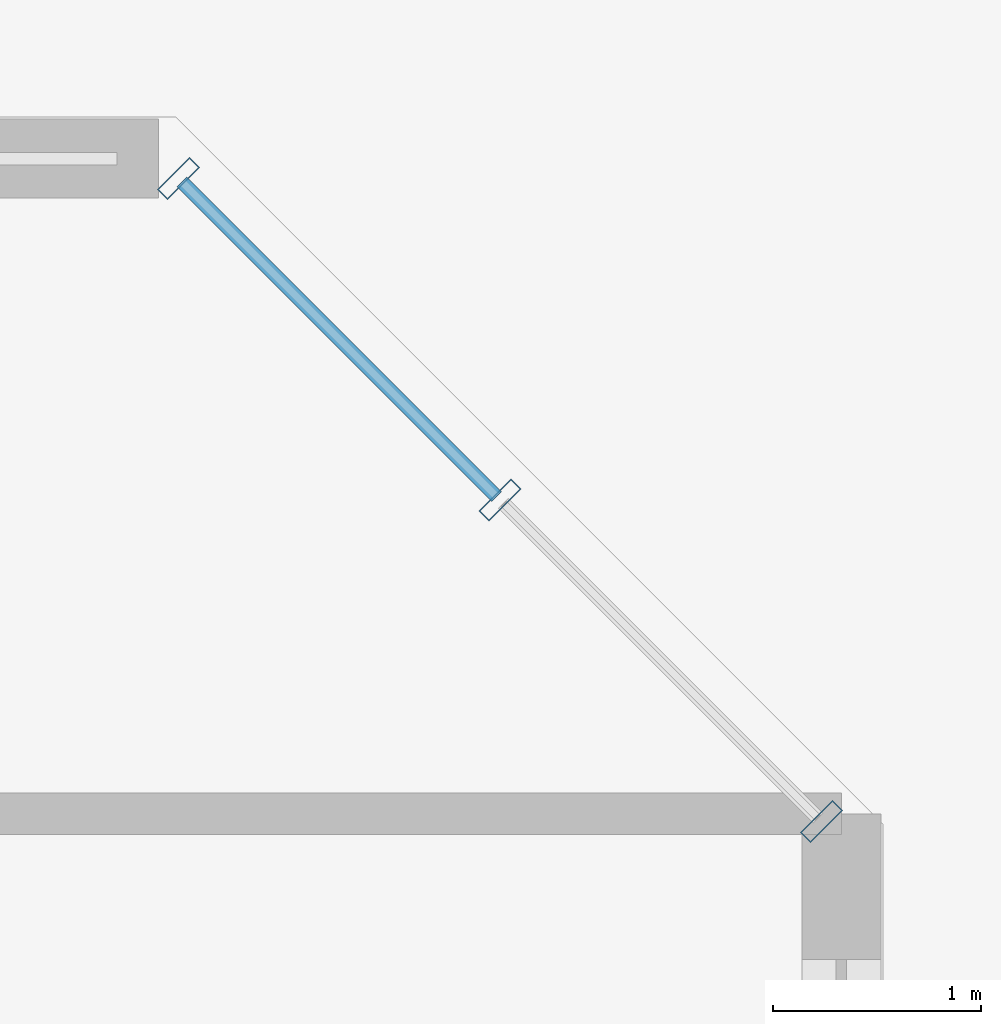
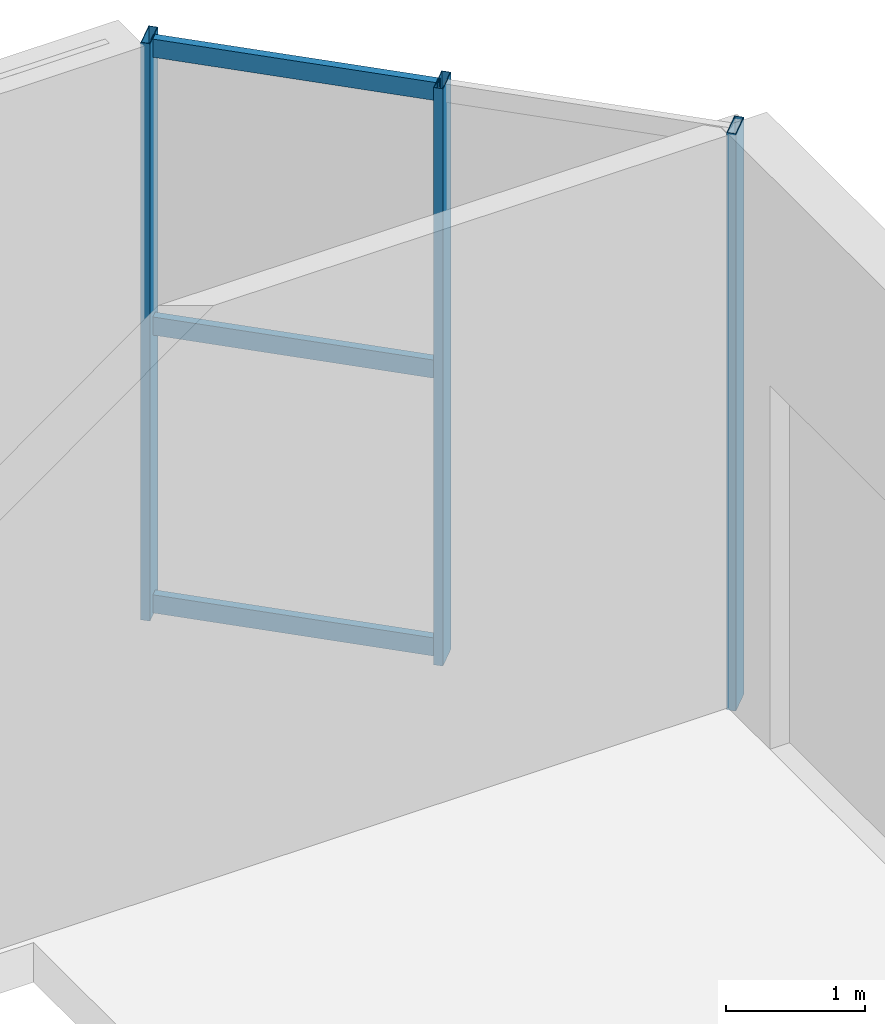
# One storey, part 8 of 22: 6 members, 1 element without a shape of its own.
"""IFC4 building model written with IfcOpenShell, lengths in metres."""

from ifc_helpers import new_model, si_unit, direction, frame, origin, origin_2d, place, context, subcontext, project, spatial, hollow_rectangle, extrude, source, transform, mapped, material, material_profile, profile_set, type_object, element, aggregate, save


model = new_model("IFC4")

# Units and contexts
model_context = context("Model", 3, precision=1e-05, world=origin(), true_north=direction((0.0, 1.0)))
body_context = subcontext(model_context, "Body", "Model", "MODEL_VIEW")
ifc_project = project(units=[si_unit("LENGTHUNIT", "METRE"), si_unit("AREAUNIT", "SQUARE_METRE"), si_unit("VOLUMEUNIT", "CUBIC_METRE"), si_unit("PLANEANGLEUNIT", "RADIAN"), si_unit("MASSUNIT", "GRAM", prefix="KILO")], contexts=[model_context])

# Site, building, storey
site_placement = place(None, origin())
site = spatial("IfcSite", under=ifc_project, at=site_placement, CompositionType="ELEMENT")
building_placement = place(site_placement, origin())
building = spatial("IfcBuilding", under=site, at=building_placement, Name="Tlacorven Tower", CompositionType="ELEMENT")
storey_placement = place(building_placement, origin())
storey = spatial("IfcBuildingStorey", under=building, at=storey_placement, Name="L00", CompositionType="ELEMENT", Elevation=0.0)

# Curtain wall, members
ifc_material_1 = material(Name="Dark solar low-E double glazing in aluminium frame", Category="aluminium")
curtain_wall_type = type_object("IfcCurtainWallType", Name="CW-STN-CONCOURSE", PredefinedType="USERDEFINED", material=ifc_material_1)
curtain_wall_placement = place(storey_placement, origin())
curtain_wall = element("IfcCurtainWall", 1, at=curtain_wall_placement, inside=storey, type_object=curtain_wall_type, Name="L00 Podium Chamfer Curtain Wall 5", ObjectType="UNITISED CURTAIN WALL", PredefinedType="USERDEFINED")
ifc_material_2 = material(Name="Aluminium 6063-T6 anodised", Category="aluminium")
ifc_material_profile_1 = material_profile(ifc_material_2, hollow_rectangle(XDim=0.070068359375, YDim=0.219970703125, WallThickness=0.0048828125, at=origin_2d()), Name="ALU MULLION 70X220")
ifc_profile_set_1 = profile_set([ifc_material_profile_1], Name="Aluminium 6063-T6 anodised")
member_type_1 = type_object("IfcMemberType", Name="CWM-01", PredefinedType="MULLION", material=ifc_profile_set_1)
shared_shape_1 = source(origin(), body_context, "Body", "SweptSolid", [
    extrude(hollow_rectangle(XDim=0.070068359375, YDim=0.219970703125, WallThickness=0.0048828125, at=origin_2d()), origin(), (0.0, 0.0, 1.0), 5.080078125),
])
member_1_placement = place(storey_placement, frame((67.212646484375, 46.304443359375, -0.02001953125), z_axis=(0.0, 0.0, 1.0), x_axis=(0.707106781187, -0.707106781187, 0.0)))
member_1 = element("IfcMember", 2, at=member_1_placement, type_object=member_type_1, Name="CW-L00-003 Mullion 1", PredefinedType="MULLION", context=body_context, shape_type="MappedRepresentation", body=[
    mapped(shared_shape_1, transform((0.0, 0.0, 0.0), scale=1.0)),
])
member_2_placement = place(storey_placement, frame((68.758544921875, 44.758544921875, -0.02001953125), z_axis=(0.0, 0.0, 1.0), x_axis=(0.707106781187, -0.707106781187, 0.0)))
member_2 = element("IfcMember", 3, at=member_2_placement, type_object=member_type_1, Name="CW-L00-003 Mullion 2", PredefinedType="MULLION", context=body_context, shape_type="MappedRepresentation", body=[
    mapped(shared_shape_1, transform((0.0, 0.0, 0.0), scale=1.0)),
])
member_3_placement = place(storey_placement, frame((70.304443359375, 43.212646484375, -0.02001953125), z_axis=(0.0, 0.0, 1.0), x_axis=(0.707106781187, -0.707106781187, 0.0)))
member_3 = element("IfcMember", 4, at=member_3_placement, type_object=member_type_1, Name="CW-L00-003 Mullion 3", PredefinedType="MULLION", context=body_context, shape_type="MappedRepresentation", body=[
    mapped(shared_shape_1, transform((0.0, 0.0, 0.0), scale=1.0)),
])
ifc_material_profile_2 = material_profile(ifc_material_2, hollow_rectangle(XDim=0.06494140625, YDim=0.159912109375, WallThickness=0.00390625, at=origin_2d()), Name="ALU TRANSOM 65X160")
ifc_profile_set_2 = profile_set([ifc_material_profile_2], Name="Aluminium 6063-T6 anodised")
member_type_2 = type_object("IfcMemberType", Name="CWT-01", PredefinedType="USERDEFINED", material=ifc_profile_set_2)
shared_shape_2 = source(origin(), body_context, "Body", "SweptSolid", [
    extrude(hollow_rectangle(XDim=0.06494140625, YDim=0.159912109375, WallThickness=0.00390625, at=origin_2d()), origin(), (0.0, 0.0, 1.0), 2.140380859375),
])
member_4_placement = place(storey_placement, frame((67.228759765625, 46.288330078125, 0.080078125), z_axis=(0.707163808226, -0.707049749547, 0.0), x_axis=(0.707049749547, 0.707163808226, 0.0)))
member_4 = element("IfcMember", 5, at=member_4_placement, type_object=member_type_2, Name="CW-L00-003 Transom 1", ObjectType="TRANSOM", PredefinedType="USERDEFINED", context=body_context, shape_type="MappedRepresentation", body=[
    mapped(shared_shape_2, transform((0.0, 0.0, 0.0), scale=1.0)),
])
member_5_placement = place(storey_placement, frame((67.228759765625, 46.288330078125, 2.52490234375), z_axis=(0.707163808226, -0.707049749547, 0.0), x_axis=(0.707049749547, 0.707163808226, 0.0)))
member_5 = element("IfcMember", 6, at=member_5_placement, type_object=member_type_2, Name="CW-L00-003 Transom 2", ObjectType="TRANSOM", PredefinedType="USERDEFINED", context=body_context, shape_type="MappedRepresentation", body=[
    mapped(shared_shape_2, transform((0.0, 0.0, 0.0), scale=1.0)),
])
member_6_placement = place(storey_placement, frame((67.228759765625, 46.288330078125, 4.969970703125), z_axis=(0.707163808226, -0.707049749547, 0.0), x_axis=(0.707049749547, 0.707163808226, 0.0)))
member_6 = element("IfcMember", 7, at=member_6_placement, type_object=member_type_2, Name="CW-L00-003 Transom 3", ObjectType="TRANSOM", PredefinedType="USERDEFINED", context=body_context, shape_type="MappedRepresentation", body=[
    mapped(shared_shape_2, transform((0.0, 0.0, 0.0), scale=1.0)),
])
aggregate(curtain_wall, [member_1, member_2, member_3, member_4, member_5, member_6])

save(model, "model.ifc")
